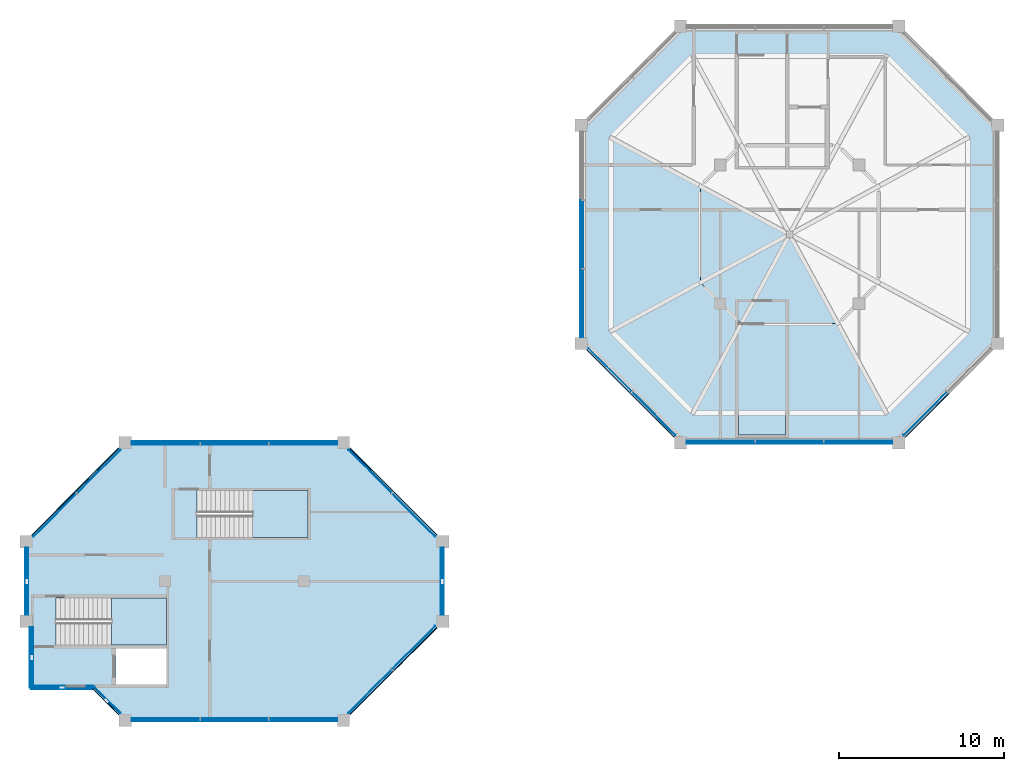
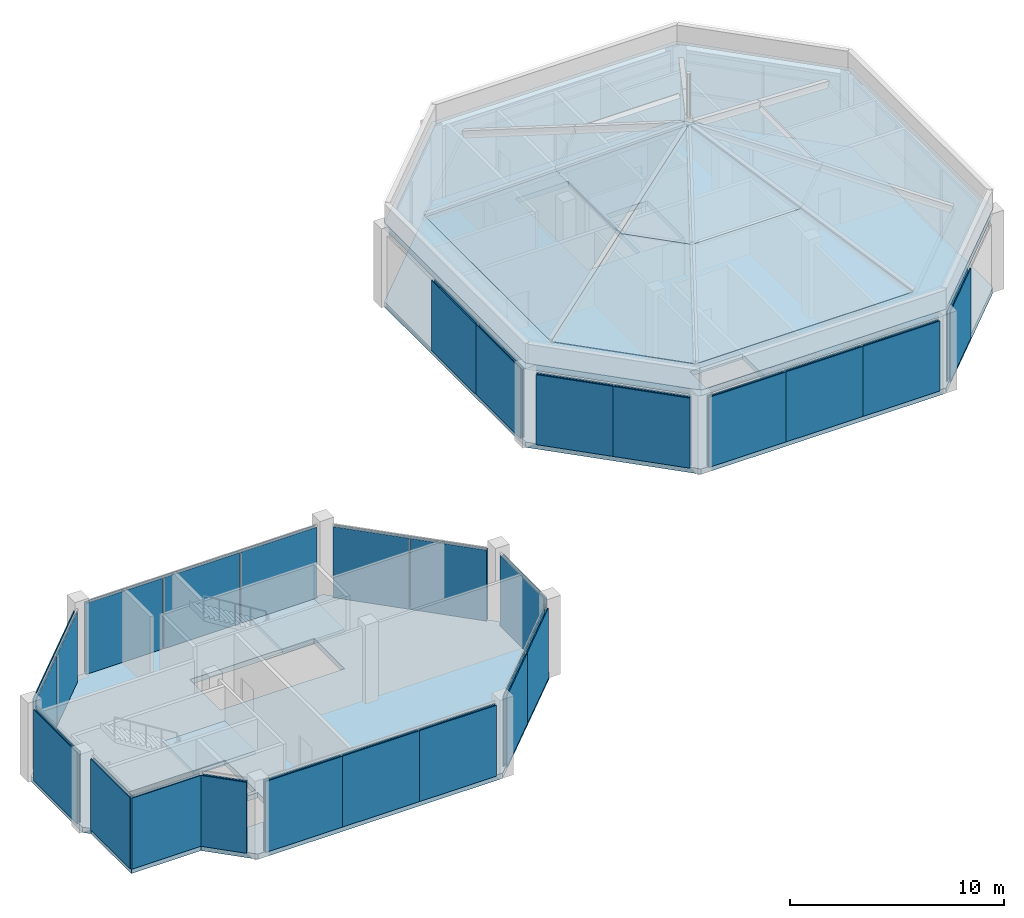
# One storey, part 4 of 9: 56 plates, 5 slabs, 16 elements without a shape of their own.
"""IFC4 building model written with IfcOpenShell, lengths in metres."""

from ifc_helpers import new_model, si_unit, direction, frame, origin, origin_2d, place, context, subcontext, project, spatial, polyline, rectangle, outline, extrude, material, layer, layer_set, type_object, element, aggregate, save


model = new_model("IFC4")

# Units and contexts
model_context = context("Model", 3, precision=1e-05, world=origin(), true_north=direction((0.0, 1.0)))
body_context = subcontext(model_context, "Body", "Model", "MODEL_VIEW")
ifc_project = project(units=[si_unit("LENGTHUNIT", "METRE"), si_unit("AREAUNIT", "SQUARE_METRE"), si_unit("VOLUMEUNIT", "CUBIC_METRE"), si_unit("PLANEANGLEUNIT", "RADIAN"), si_unit("MASSUNIT", "GRAM", prefix="KILO")], contexts=[model_context])

# Site, building, storey
site_placement = place(None, origin())
site = spatial("IfcSite", under=ifc_project, at=site_placement, CompositionType="ELEMENT")
building_placement = place(site_placement, origin())
building = spatial("IfcBuilding", under=site, at=building_placement, Name="Kawkab Arch Medical Tower", CompositionType="ELEMENT")
storey_placement = place(building_placement, frame((0.0, 0.0, 350.199951171875)))
storey = spatial("IfcBuildingStorey", under=building, at=storey_placement, Name="L81", CompositionType="ELEMENT", Elevation=350.199951171875)

# Curtain wall, plates
ifc_material_1 = material(Name="Bronze anodised aluminium curtain wall frame", Category="aluminium")
ifc_layer_1 = layer(ifc_material_1, 0.159912109375)
ifc_layer_set_1 = layer_set([ifc_layer_1], Name="Bronze anodised aluminium curtain wall frame")
curtain_wall_type = type_object("IfcCurtainWallType", Name="CW6 helipad lobby and crown glazing", PredefinedType="NOTDEFINED", material=ifc_layer_set_1)
placement_1 = place(storey_placement, origin())
curtain_wall_1 = element("IfcCurtainWall", 1, at=placement_1, inside=storey, type_object=curtain_wall_type, Name="CW6 Helipad lobby and crown glazing R04", PredefinedType="NOTDEFINED")
ifc_material_2 = material(Name="Tinted laminated insulating glass, low iron", Category="glass")
ifc_layer_2 = layer(ifc_material_2, 0.0400390625)
ifc_layer_set_2 = layer_set([ifc_layer_2], Name="Tinted laminated insulating glass, low iron")
plate_type_1 = type_object("IfcPlateType", Name="CW6 glazing unit 40", PredefinedType="CURTAIN_PANEL", material=ifc_layer_set_2)
plate_1_placement = place(storey_placement, frame((33.699951171875, -12.60009765625, 0.0), z_axis=(0.0, 0.0, 1.0), x_axis=(0.0, -1.0, 0.0)))
plate_1 = element("IfcPlate", 2, at=plate_1_placement, type_object=plate_type_1, Name="CW6 glazing unit 1.2", PredefinedType="CURTAIN_PANEL", context=body_context, shape_type="SweptSolid", body=[
    extrude(rectangle(XDim=4.080078125, YDim=0.0400390625, at=origin_2d()), origin(), (0.0, 0.0, 1.0), 3.989990234375),
])
plate_2_placement = place(storey_placement, frame((33.699951171875, -16.767578125, 0.0), z_axis=(0.0, 0.0, 1.0), x_axis=(0.0, -1.0, 0.0)))
plate_2 = element("IfcPlate", 3, at=plate_2_placement, type_object=plate_type_1, Name="CW6 glazing unit 1.3", PredefinedType="CURTAIN_PANEL", context=body_context, shape_type="SweptSolid", body=[
    extrude(rectangle(XDim=4.114990234375, YDim=0.0400390625, at=origin_2d()), origin(), (0.0, 0.0, 1.0), 3.989990234375),
])
aggregate(curtain_wall_1, [plate_1, plate_2])

curtain_wall_2 = element("IfcCurtainWall", 4, at=placement_1, inside=storey, type_object=curtain_wall_type, Name="CW6 Helipad lobby and crown glazing R05", PredefinedType="NOTDEFINED")
plate_3_placement = place(storey_placement, frame((35.345703125, -20.804443359375, 0.0), z_axis=(0.0, 0.0, 1.0), x_axis=(0.707106781187, -0.707106781187, 0.0)))
plate_3 = element("IfcPlate", 5, at=plate_3_placement, type_object=plate_type_1, Name="CW6 glazing unit 1.1", PredefinedType="CURTAIN_PANEL", context=body_context, shape_type="SweptSolid", body=[
    extrude(rectangle(XDim=3.67724609375, YDim=0.0400390625, at=origin_2d()), origin(), (0.0, 0.0, 1.0), 3.989990234375),
])
plate_4_placement = place(storey_placement, frame((37.99560546875, -23.4541015625, 0.0), z_axis=(0.0, 0.0, 1.0), x_axis=(0.707106781187, -0.707106781187, 0.0)))
plate_4 = element("IfcPlate", 6, at=plate_4_placement, type_object=plate_type_1, Name="CW6 glazing unit 1.2", PredefinedType="CURTAIN_PANEL", context=body_context, shape_type="SweptSolid", body=[
    extrude(rectangle(XDim=3.67724609375, YDim=0.0400390625, at=origin_2d()), origin(), (0.0, 0.0, 1.0), 3.989990234375),
])
aggregate(curtain_wall_2, [plate_3, plate_4])

curtain_wall_3 = element("IfcCurtainWall", 7, at=placement_1, inside=storey, type_object=curtain_wall_type, Name="CW6 Helipad lobby and crown glazing R06", PredefinedType="NOTDEFINED")
plate_5_placement = place(storey_placement, frame((42.032470703125, -25.10009765625, 0.0), z_axis=(0.0, 0.0, 1.0), x_axis=(1.0, 0.0, 0.0)))
plate_5 = element("IfcPlate", 8, at=plate_5_placement, type_object=plate_type_1, Name="CW6 glazing unit 1.1", PredefinedType="CURTAIN_PANEL", context=body_context, shape_type="SweptSolid", body=[
    extrude(rectangle(XDim=4.114990234375, YDim=0.0400390625, at=origin_2d()), origin(), (0.0, 0.0, 1.0), 3.989990234375),
])
plate_6_placement = place(storey_placement, frame((46.199951171875, -25.10009765625, 0.0), z_axis=(0.0, 0.0, 1.0), x_axis=(1.0, 0.0, 0.0)))
plate_6 = element("IfcPlate", 9, at=plate_6_placement, type_object=plate_type_1, Name="CW6 glazing unit 1.2", PredefinedType="CURTAIN_PANEL", context=body_context, shape_type="SweptSolid", body=[
    extrude(rectangle(XDim=4.080078125, YDim=0.0400390625, at=origin_2d()), origin(), (0.0, 0.0, 1.0), 3.989990234375),
])
plate_7_placement = place(storey_placement, frame((50.367431640625, -25.10009765625, 0.0), z_axis=(0.0, 0.0, 1.0), x_axis=(1.0, 0.0, 0.0)))
plate_7 = element("IfcPlate", 10, at=plate_7_placement, type_object=plate_type_1, Name="CW6 glazing unit 1.3", PredefinedType="CURTAIN_PANEL", context=body_context, shape_type="SweptSolid", body=[
    extrude(rectangle(XDim=4.114990234375, YDim=0.0400390625, at=origin_2d()), origin(), (0.0, 0.0, 1.0), 3.989990234375),
])
aggregate(curtain_wall_3, [plate_5, plate_6, plate_7])

# Curtain wall, plate
curtain_wall_4 = element("IfcCurtainWall", 11, at=placement_1, inside=storey, type_object=curtain_wall_type, Name="CW6 Helipad lobby and crown glazing R07", PredefinedType="NOTDEFINED")
plate_8_placement = place(storey_placement, frame((54.404296875, -23.4541015625, 0.0), z_axis=(0.0, 0.0, 1.0), x_axis=(0.707106781187, 0.707106781187, 0.0)))
plate_8 = element("IfcPlate", 12, at=plate_8_placement, type_object=plate_type_1, Name="CW6 glazing unit 1.1", PredefinedType="CURTAIN_PANEL", context=body_context, shape_type="SweptSolid", body=[
    extrude(rectangle(XDim=3.67724609375, YDim=0.0400390625, at=origin_2d()), origin(), (0.0, 0.0, 1.0), 3.989990234375),
])
aggregate(curtain_wall_4, [plate_8])

# Curtain wall, plates
curtain_wall_5 = element("IfcCurtainWall", 13, at=placement_1, inside=storey, type_object=curtain_wall_type, Name="CW6 Helipad lobby and crown glazing R09", PredefinedType="NOTDEFINED")
plate_9_placement = place(storey_placement, frame((23.4541015625, -29.595703125, 0.0), z_axis=(0.0, 0.0, 1.0), x_axis=(-0.707106781187, 0.707106781187, 0.0)))
plate_9 = element("IfcPlate", 14, at=plate_9_placement, type_object=plate_type_1, Name="CW6 glazing unit 1.1", PredefinedType="CURTAIN_PANEL", context=body_context, shape_type="SweptSolid", body=[
    extrude(rectangle(XDim=3.67724609375, YDim=0.0400390625, at=origin_2d()), origin(), (0.0, 0.0, 1.0), 4.0400390625),
])
plate_10_placement = place(storey_placement, frame((20.804443359375, -26.94580078125, 0.0), z_axis=(0.0, 0.0, 1.0), x_axis=(-0.707106781187, 0.707106781187, 0.0)))
plate_10 = element("IfcPlate", 15, at=plate_10_placement, type_object=plate_type_1, Name="CW6 glazing unit 1.2", PredefinedType="CURTAIN_PANEL", context=body_context, shape_type="SweptSolid", body=[
    extrude(rectangle(XDim=3.67724609375, YDim=0.0400390625, at=origin_2d()), origin(), (0.0, 0.0, 1.0), 4.0400390625),
])
aggregate(curtain_wall_5, [plate_9, plate_10])

curtain_wall_6 = element("IfcCurtainWall", 16, at=placement_1, inside=storey, type_object=curtain_wall_type, Name="CW6 Helipad lobby and crown glazing R10", PredefinedType="NOTDEFINED")
plate_11_placement = place(storey_placement, frame((16.767578125, -25.300048828125, 0.0), z_axis=(0.0, 0.0, 1.0), x_axis=(-1.0, 0.0, 0.0)))
plate_11 = element("IfcPlate", 17, at=plate_11_placement, type_object=plate_type_1, Name="CW6 glazing unit 1.1", PredefinedType="CURTAIN_PANEL", context=body_context, shape_type="SweptSolid", body=[
    extrude(rectangle(XDim=4.114990234375, YDim=0.0400390625, at=origin_2d()), origin(), (0.0, 0.0, 1.0), 4.0400390625),
])
plate_12_placement = place(storey_placement, frame((12.60009765625, -25.300048828125, 0.0), z_axis=(0.0, 0.0, 1.0), x_axis=(-1.0, 0.0, 0.0)))
plate_12 = element("IfcPlate", 18, at=plate_12_placement, type_object=plate_type_1, Name="CW6 glazing unit 1.2", PredefinedType="CURTAIN_PANEL", context=body_context, shape_type="SweptSolid", body=[
    extrude(rectangle(XDim=4.080078125, YDim=0.0400390625, at=origin_2d()), origin(), (0.0, 0.0, 1.0), 4.0400390625),
])
plate_13_placement = place(storey_placement, frame((8.4326171875, -25.300048828125, 0.0), z_axis=(0.0, 0.0, 1.0), x_axis=(-1.0, 0.0, 0.0)))
plate_13 = element("IfcPlate", 19, at=plate_13_placement, type_object=plate_type_1, Name="CW6 glazing unit 1.3", PredefinedType="CURTAIN_PANEL", context=body_context, shape_type="SweptSolid", body=[
    extrude(rectangle(XDim=4.114990234375, YDim=0.0400390625, at=origin_2d()), origin(), (0.0, 0.0, 1.0), 4.0400390625),
])
aggregate(curtain_wall_6, [plate_11, plate_12, plate_13])

curtain_wall_7 = element("IfcCurtainWall", 20, at=placement_1, inside=storey, type_object=curtain_wall_type, Name="CW6 Helipad lobby and crown glazing R11", PredefinedType="NOTDEFINED")
plate_14_placement = place(storey_placement, frame((4.3955078125, -26.94580078125, 0.0), z_axis=(0.0, 0.0, 1.0), x_axis=(-0.707106781187, -0.707106781187, 0.0)))
plate_14 = element("IfcPlate", 21, at=plate_14_placement, type_object=plate_type_1, Name="CW6 glazing unit 1.1", PredefinedType="CURTAIN_PANEL", context=body_context, shape_type="SweptSolid", body=[
    extrude(rectangle(XDim=3.67724609375, YDim=0.0400390625, at=origin_2d()), origin(), (0.0, 0.0, 1.0), 4.0400390625),
])
plate_15_placement = place(storey_placement, frame((1.745849609375, -29.595703125, 0.0), z_axis=(0.0, 0.0, 1.0), x_axis=(-0.707106781187, -0.707106781187, 0.0)))
plate_15 = element("IfcPlate", 22, at=plate_15_placement, type_object=plate_type_1, Name="CW6 glazing unit 1.2", PredefinedType="CURTAIN_PANEL", context=body_context, shape_type="SweptSolid", body=[
    extrude(rectangle(XDim=3.67724609375, YDim=0.0400390625, at=origin_2d()), origin(), (0.0, 0.0, 1.0), 4.0400390625),
])
aggregate(curtain_wall_7, [plate_14, plate_15])

# Curtain wall, plate
curtain_wall_8 = element("IfcCurtainWall", 23, at=placement_1, inside=storey, type_object=curtain_wall_type, Name="CW6 Helipad lobby and crown glazing R12", PredefinedType="NOTDEFINED")
plate_16_placement = place(storey_placement, frame((0.10009765625, -33.60009765625, 0.0), z_axis=(0.0, 0.0, 1.0), x_axis=(0.0, -1.0, 0.0)))
plate_16 = element("IfcPlate", 24, at=plate_16_placement, type_object=plate_type_1, Name="CW6 glazing unit 1.1", PredefinedType="CURTAIN_PANEL", context=body_context, shape_type="SweptSolid", body=[
    extrude(rectangle(XDim=4.050048828125, YDim=0.0400390625, at=origin_2d()), origin(), (0.0, 0.0, 1.0), 4.0400390625),
])
aggregate(curtain_wall_8, [plate_16])

curtain_wall_9 = element("IfcCurtainWall", 25, at=placement_1, inside=storey, type_object=curtain_wall_type, Name="CW6 Helipad lobby and crown glazing R14", PredefinedType="NOTDEFINED")
plate_17_placement = place(storey_placement, frame((0.39990234375, -38.21240234375, 0.0), z_axis=(0.0, 0.0, 1.0), x_axis=(0.0, -1.0, 0.0)))
plate_17 = element("IfcPlate", 26, at=plate_17_placement, type_object=plate_type_1, Name="CW6 glazing unit 1.1", PredefinedType="CURTAIN_PANEL", context=body_context, shape_type="SweptSolid", body=[
    extrude(rectangle(XDim=3.675048828125, YDim=0.0400390625, at=origin_2d()), origin(), (0.0, 0.0, 1.0), 4.0400390625),
])
aggregate(curtain_wall_9, [plate_17])

curtain_wall_10 = element("IfcCurtainWall", 27, at=placement_1, inside=storey, type_object=curtain_wall_type, Name="CW6 Helipad lobby and crown glazing R15", PredefinedType="NOTDEFINED")
plate_18_placement = place(storey_placement, frame((2.175048828125, -39.949951171875, 0.0), z_axis=(0.0, 0.0, 1.0), x_axis=(1.0, 0.0, 0.0)))
plate_18 = element("IfcPlate", 28, at=plate_18_placement, type_object=plate_type_1, Name="CW6 glazing unit 1.1", PredefinedType="CURTAIN_PANEL", context=body_context, shape_type="SweptSolid", body=[
    extrude(rectangle(XDim=3.75, YDim=0.0400390625, at=origin_2d()), origin(), (0.0, 0.0, 1.0), 4.0400390625),
])
aggregate(curtain_wall_10, [plate_18])

curtain_wall_11 = element("IfcCurtainWall", 29, at=placement_1, inside=storey, type_object=curtain_wall_type, Name="CW6 Helipad lobby and crown glazing R16", PredefinedType="NOTDEFINED")
plate_19_placement = place(storey_placement, frame((4.908203125, -40.766845703125, 0.0), z_axis=(0.0, 0.0, 1.0), x_axis=(0.707106781187, -0.707106781187, 0.0)))
plate_19 = element("IfcPlate", 30, at=plate_19_placement, type_object=plate_type_1, Name="CW6 glazing unit 1.1", PredefinedType="CURTAIN_PANEL", context=body_context, shape_type="SweptSolid", body=[
    extrude(rectangle(XDim=2.227294921875, YDim=0.0400390625, at=origin_2d()), origin(), (0.0, 0.0, 1.0), 4.0400390625),
])
aggregate(curtain_wall_11, [plate_19])

# Curtain wall, plates
curtain_wall_12 = element("IfcCurtainWall", 31, at=placement_1, inside=storey, type_object=curtain_wall_type, Name="CW6 Helipad lobby and crown glazing R17", PredefinedType="NOTDEFINED")
plate_20_placement = place(storey_placement, frame((8.4326171875, -41.89990234375, 0.0), z_axis=(0.0, 0.0, 1.0), x_axis=(1.0, 0.0, 0.0)))
plate_20 = element("IfcPlate", 32, at=plate_20_placement, type_object=plate_type_1, Name="CW6 glazing unit 1.1", PredefinedType="CURTAIN_PANEL", context=body_context, shape_type="SweptSolid", body=[
    extrude(rectangle(XDim=4.114990234375, YDim=0.0400390625, at=origin_2d()), origin(), (0.0, 0.0, 1.0), 4.0400390625),
])
plate_21_placement = place(storey_placement, frame((12.60009765625, -41.89990234375, 0.0), z_axis=(0.0, 0.0, 1.0), x_axis=(1.0, 0.0, 0.0)))
plate_21 = element("IfcPlate", 33, at=plate_21_placement, type_object=plate_type_1, Name="CW6 glazing unit 1.2", PredefinedType="CURTAIN_PANEL", context=body_context, shape_type="SweptSolid", body=[
    extrude(rectangle(XDim=4.080078125, YDim=0.0400390625, at=origin_2d()), origin(), (0.0, 0.0, 1.0), 4.0400390625),
])
plate_22_placement = place(storey_placement, frame((16.767578125, -41.89990234375, 0.0), z_axis=(0.0, 0.0, 1.0), x_axis=(1.0, 0.0, 0.0)))
plate_22 = element("IfcPlate", 34, at=plate_22_placement, type_object=plate_type_1, Name="CW6 glazing unit 1.3", PredefinedType="CURTAIN_PANEL", context=body_context, shape_type="SweptSolid", body=[
    extrude(rectangle(XDim=4.114990234375, YDim=0.0400390625, at=origin_2d()), origin(), (0.0, 0.0, 1.0), 4.0400390625),
])
aggregate(curtain_wall_12, [plate_20, plate_21, plate_22])

curtain_wall_13 = element("IfcCurtainWall", 35, at=placement_1, inside=storey, type_object=curtain_wall_type, Name="CW6 Helipad lobby and crown glazing R18", PredefinedType="NOTDEFINED")
plate_23_placement = place(storey_placement, frame((20.804443359375, -40.254150390625, 0.0), z_axis=(0.0, 0.0, 1.0), x_axis=(0.707106781187, 0.707106781187, 0.0)))
plate_23 = element("IfcPlate", 36, at=plate_23_placement, type_object=plate_type_1, Name="CW6 glazing unit 1.1", PredefinedType="CURTAIN_PANEL", context=body_context, shape_type="SweptSolid", body=[
    extrude(rectangle(XDim=3.67724609375, YDim=0.0400390625, at=origin_2d()), origin(), (0.0, 0.0, 1.0), 4.0400390625),
])
plate_24_placement = place(storey_placement, frame((23.4541015625, -37.6044921875, 0.0), z_axis=(0.0, 0.0, 1.0), x_axis=(0.707106781187, 0.707106781187, 0.0)))
plate_24 = element("IfcPlate", 37, at=plate_24_placement, type_object=plate_type_1, Name="CW6 glazing unit 1.2", PredefinedType="CURTAIN_PANEL", context=body_context, shape_type="SweptSolid", body=[
    extrude(rectangle(XDim=3.67724609375, YDim=0.0400390625, at=origin_2d()), origin(), (0.0, 0.0, 1.0), 4.0400390625),
])
aggregate(curtain_wall_13, [plate_23, plate_24])

# Curtain wall, plate
curtain_wall_14 = element("IfcCurtainWall", 38, at=placement_1, inside=storey, type_object=curtain_wall_type, Name="CW6 Helipad lobby and crown glazing R19", PredefinedType="NOTDEFINED")
plate_25_placement = place(storey_placement, frame((25.10009765625, -33.60009765625, 0.0), z_axis=(0.0, 0.0, 1.0), x_axis=(0.0, 1.0, 0.0)))
plate_25 = element("IfcPlate", 39, at=plate_25_placement, type_object=plate_type_1, Name="CW6 glazing unit 1.1", PredefinedType="CURTAIN_PANEL", context=body_context, shape_type="SweptSolid", body=[
    extrude(rectangle(XDim=4.050048828125, YDim=0.0400390625, at=origin_2d()), origin(), (0.0, 0.0, 1.0), 4.0400390625),
])
aggregate(curtain_wall_14, [plate_25])

# Plates
ifc_material_3 = material(Name="Laminated tinted glass", Category="glass")
ifc_layer_3 = layer(ifc_material_3, 0.031982421875)
ifc_layer_set_3 = layer_set([ifc_layer_3], Name="Laminated tinted glass")
plate_type_2 = type_object("IfcPlateType", Name="Crown glazing panel 32", PredefinedType="USERDEFINED", material=ifc_layer_set_3)
plate_26_placement = place(storey_placement, frame((40.345703125, -23.39990234375, 4.650146484375), z_axis=(0.0, -0.420129824888, 0.907464010437), x_axis=(1.0, 0.0, 0.0)))
element("IfcPlate", 40, at=plate_26_placement, inside=storey, type_object=plate_type_2, Name="Crown glazing, peak A face 1 row 1 bay 1", ObjectType="CROWN GLAZING", PredefinedType="USERDEFINED", context=body_context, shape_type="SweptSolid", body=[
    extrude(outline(polyline([(0.0, 0.0), (11.708740234375, 0.0), (8.781494140625, 5.950541599051026), (2.927001953125, 5.950541599051026), (0.0, 0.0)])), origin(), (0.0, 0.0, -1.0), 0.031982421875),
])
plate_27_placement = place(storey_placement, frame((35.39990234375, -6.74560546875, 4.650146484375), z_axis=(-0.420114183257, 0.0, 0.907471251901), x_axis=(0.0, -1.0, 0.0)))
element("IfcPlate", 41, at=plate_27_placement, inside=storey, type_object=plate_type_2, Name="Crown glazing, peak A face 7 row 1 bay 1", ObjectType="CROWN GLAZING", PredefinedType="USERDEFINED", context=body_context, shape_type="SweptSolid", body=[
    extrude(outline(polyline([(0.0, 0.0), (11.708740234375, 0.0), (8.781494140625, 5.950763148765684), (2.92724609375, 5.950763148765684), (0.0, 0.0)])), origin(), (0.0, 0.0, -1.0), 0.031982421875),
])
plate_28_placement = place(storey_placement, frame((35.39990234375, -18.454345703125, 4.650146484375), z_axis=(-0.276346189666, -0.276346189666, 0.920470296595), x_axis=(0.707121568298, -0.70709199371, 8.878966e-06)))
element("IfcPlate", 42, at=plate_28_placement, inside=storey, type_object=plate_type_2, Name="Crown glazing, peak A face 8 row 1 bay 1", ObjectType="CROWN GLAZING", PredefinedType="USERDEFINED", context=body_context, shape_type="SweptSolid", body=[
    extrude(outline(polyline([(0.0, 0.0), (6.994245909952788, 4.440892098500626e-16), (5.2457866047945965, 6.396809815000615), (1.7487499719791995, 6.397048169041188), (0.0, 0.0)])), origin(), (0.0, 0.0, -1.0), 0.031982421875),
])
plate_29_placement = place(storey_placement, frame((43.272705078125, -18.0, 7.150146484375), z_axis=(0.0, -0.420129824888, 0.907464010437), x_axis=(1.0, 0.0, 0.0)))
element("IfcPlate", 43, at=plate_29_placement, inside=storey, type_object=plate_type_2, Name="Crown glazing, peak A face 1 row 2 bay 1", ObjectType="CROWN GLAZING", PredefinedType="USERDEFINED", context=body_context, shape_type="SweptSolid", body=[
    extrude(outline(polyline([(0.0, 0.0), (5.8544921875, 0.0), (2.92724609375, 5.950541599051026), (0.0, 0.0)])), origin(), (0.0, 0.0, -1.0), 0.031982421875),
])
plate_30_placement = place(storey_placement, frame((40.800048828125, -9.6728515625, 7.150146484375), z_axis=(-0.420129824888, 0.0, 0.907464010437), x_axis=(0.0, -1.0, 0.0)))
element("IfcPlate", 44, at=plate_30_placement, inside=storey, type_object=plate_type_2, Name="Crown glazing, peak A face 7 row 2 bay 1", ObjectType="CROWN GLAZING", PredefinedType="USERDEFINED", context=body_context, shape_type="SweptSolid", body=[
    extrude(outline(polyline([(0.0, 0.0), (5.854248046875, 0.0), (2.92724609375, 5.950541599051025), (0.0, 0.0)])), origin(), (0.0, 0.0, -1.0), 0.031982421875),
])
plate_31_placement = place(storey_placement, frame((40.800048828125, -15.527099609375, 7.150146484375), z_axis=(-0.276363263975, -0.276335979617, 0.92046823557), x_axis=(0.707071873538, -0.707141687112, 0.0)))
element("IfcPlate", 45, at=plate_31_placement, inside=storey, type_object=plate_type_2, Name="Crown glazing, peak A face 8 row 2 bay 1", ObjectType="CROWN GLAZING", PredefinedType="USERDEFINED", context=body_context, shape_type="SweptSolid", body=[
    extrude(outline(polyline([(0.0, 0.0), (3.4970366415891814, 2.220446049250313e-16), (1.7483139678061104, 6.396849539078464), (0.0, 0.0)])), origin(), (0.0, 0.0, -1.0), 0.031982421875),
])
ifc_material_4 = material(Name="Bronze anodised aluminium perforated screen", Category="aluminium")
ifc_layer_4 = layer(ifc_material_4, 0.050048828125)
ifc_layer_set_4 = layer_set([ifc_layer_4], Name="Bronze anodised aluminium perforated screen")
plate_type_3 = type_object("IfcPlateType", Name="Crown perforated star screen 50", PredefinedType="USERDEFINED", material=ifc_layer_set_4)
for number, where, z_axis, x_axis, name in (
    (46, (33.554931640625, -12.60009765625, 0.0), (0.0, 0.0, 1.0), (0.0, -1.0, 0.0), "Crown screen L81 R04.1.2"),
    (47, (33.554931640625, -16.75, 0.0), (0.0, 0.0, 1.0), (0.0, -1.0, 0.0), "Crown screen L81 R04.1.3"),
):
    element("IfcPlate", number, at=place(storey_placement, frame(where, z_axis=z_axis, x_axis=x_axis)), inside=storey, type_object=plate_type_3, Name=name, ObjectType="SCREEN", PredefinedType="USERDEFINED", context=body_context, shape_type="SweptSolid", body=[
        extrude(rectangle(XDim=4.14990234375, YDim=0.050048828125, at=origin_2d()), origin(), (0.0, 0.0, 1.0), 3.989990234375),
    ])
for number, where, z_axis, x_axis, name in (
    (48, (35.255615234375, -20.919189453125, 0.0), (0.0, 0.0, 1.0), (0.707106781187, -0.707106781187, 0.0), "Crown screen L81 R05.1.1"),
    (49, (37.880615234375, -23.54443359375, 0.0), (0.0, 0.0, 1.0), (0.707106781187, -0.707106781187, 0.0), "Crown screen L81 R05.1.2"),
):
    element("IfcPlate", number, at=place(storey_placement, frame(where, z_axis=z_axis, x_axis=x_axis)), inside=storey, type_object=plate_type_3, Name=name, ObjectType="SCREEN", PredefinedType="USERDEFINED", context=body_context, shape_type="SweptSolid", body=[
        extrude(rectangle(XDim=3.71240234375, YDim=0.050048828125, at=origin_2d()), origin(), (0.0, 0.0, 1.0), 3.989990234375),
    ])
for number, where, z_axis, x_axis, name in (
    (50, (42.050048828125, -25.2451171875, 0.0), (0.0, 0.0, 1.0), (1.0, 0.0, 0.0), "Crown screen L81 R06.1.1"),
    (51, (46.199951171875, -25.2451171875, 0.0), (0.0, 0.0, 1.0), (1.0, 0.0, 0.0), "Crown screen L81 R06.1.2"),
    (52, (50.35009765625, -25.2451171875, 0.0), (0.0, 0.0, 1.0), (1.0, 0.0, 0.0), "Crown screen L81 R06.1.3"),
):
    element("IfcPlate", number, at=place(storey_placement, frame(where, z_axis=z_axis, x_axis=x_axis)), inside=storey, type_object=plate_type_3, Name=name, ObjectType="SCREEN", PredefinedType="USERDEFINED", context=body_context, shape_type="SweptSolid", body=[
        extrude(rectangle(XDim=4.14990234375, YDim=0.050048828125, at=origin_2d()), origin(), (0.0, 0.0, 1.0), 3.989990234375),
    ])
plate_32_placement = place(storey_placement, frame((54.519287109375, -23.544189453125, 0.0), z_axis=(0.0, 0.0, 1.0), x_axis=(0.707106781187, 0.707106781187, 0.0)))
element("IfcPlate", 53, at=plate_32_placement, inside=storey, type_object=plate_type_3, Name="Crown screen L81 R07.1.1", ObjectType="SCREEN", PredefinedType="USERDEFINED", context=body_context, shape_type="SweptSolid", body=[
    extrude(rectangle(XDim=3.71240234375, YDim=0.050048828125, at=origin_2d()), origin(), (0.0, 0.0, 1.0), 3.989990234375),
])
for number, where, z_axis, x_axis, name in (
    (54, (23.544189453125, -29.480712890625, 0.0), (0.0, 0.0, 1.0), (-0.707106781187, 0.707106781187, 0.0), "Crown screen L81 R09.1.1"),
    (55, (20.919189453125, -26.855712890625, 0.0), (0.0, 0.0, 1.0), (-0.707106781187, 0.707106781187, 0.0), "Crown screen L81 R09.1.2"),
):
    element("IfcPlate", number, at=place(storey_placement, frame(where, z_axis=z_axis, x_axis=x_axis)), inside=storey, type_object=plate_type_3, Name=name, ObjectType="SCREEN", PredefinedType="USERDEFINED", context=body_context, shape_type="SweptSolid", body=[
        extrude(rectangle(XDim=3.71240234375, YDim=0.050048828125, at=origin_2d()), origin(), (0.0, 0.0, 1.0), 4.0400390625),
    ])
for number, where, z_axis, x_axis, name in (
    (56, (16.75, -25.155029296875, 0.0), (0.0, 0.0, 1.0), (-1.0, 0.0, 0.0), "Crown screen L81 R10.1.1"),
    (57, (12.60009765625, -25.155029296875, 0.0), (0.0, 0.0, 1.0), (-1.0, 0.0, 0.0), "Crown screen L81 R10.1.2"),
    (58, (8.449951171875, -25.155029296875, 0.0), (0.0, 0.0, 1.0), (-1.0, 0.0, 0.0), "Crown screen L81 R10.1.3"),
):
    element("IfcPlate", number, at=place(storey_placement, frame(where, z_axis=z_axis, x_axis=x_axis)), inside=storey, type_object=plate_type_3, Name=name, ObjectType="SCREEN", PredefinedType="USERDEFINED", context=body_context, shape_type="SweptSolid", body=[
        extrude(rectangle(XDim=4.14990234375, YDim=0.050048828125, at=origin_2d()), origin(), (0.0, 0.0, 1.0), 4.0400390625),
    ])
for number, where, z_axis, x_axis, name in (
    (59, (4.28076171875, -26.855712890625, 0.0), (0.0, 0.0, 1.0), (-0.707106781187, -0.707106781187, 0.0), "Crown screen L81 R11.1.1"),
    (60, (1.655517578125, -29.480712890625, 0.0), (0.0, 0.0, 1.0), (-0.707106781187, -0.707106781187, 0.0), "Crown screen L81 R11.1.2"),
):
    element("IfcPlate", number, at=place(storey_placement, frame(where, z_axis=z_axis, x_axis=x_axis)), inside=storey, type_object=plate_type_3, Name=name, ObjectType="SCREEN", PredefinedType="USERDEFINED", context=body_context, shape_type="SweptSolid", body=[
        extrude(rectangle(XDim=3.71240234375, YDim=0.050048828125, at=origin_2d()), origin(), (0.0, 0.0, 1.0), 4.0400390625),
    ])
plate_33_placement = place(storey_placement, frame((-0.044921875, -33.60009765625, 0.0), z_axis=(0.0, 0.0, 1.0), x_axis=(0.0, -1.0, 0.0)))
element("IfcPlate", 61, at=plate_33_placement, inside=storey, type_object=plate_type_3, Name="Crown screen L81 R12.1.1", ObjectType="SCREEN", PredefinedType="USERDEFINED", context=body_context, shape_type="SweptSolid", body=[
    extrude(rectangle(XDim=4.050048828125, YDim=0.050048828125, at=origin_2d()), origin(), (0.0, 0.0, 1.0), 4.0400390625),
])
plate_34_placement = place(storey_placement, frame((0.2548828125, -38.21240234375, 0.0), z_axis=(0.0, 0.0, 1.0), x_axis=(0.0, -1.0, 0.0)))
element("IfcPlate", 62, at=plate_34_placement, inside=storey, type_object=plate_type_3, Name="Crown screen L81 R14.1.1", ObjectType="SCREEN", PredefinedType="USERDEFINED", context=body_context, shape_type="SweptSolid", body=[
    extrude(rectangle(XDim=3.675048828125, YDim=0.050048828125, at=origin_2d()), origin(), (0.0, 0.0, 1.0), 4.0400390625),
])
plate_35_placement = place(storey_placement, frame((2.175048828125, -40.094970703125, 0.0), z_axis=(0.0, 0.0, 1.0), x_axis=(1.0, 0.0, 0.0)))
element("IfcPlate", 63, at=plate_35_placement, inside=storey, type_object=plate_type_3, Name="Crown screen L81 R15.1.1", ObjectType="SCREEN", PredefinedType="USERDEFINED", context=body_context, shape_type="SweptSolid", body=[
    extrude(rectangle(XDim=3.75, YDim=0.050048828125, at=origin_2d()), origin(), (0.0, 0.0, 1.0), 4.0400390625),
])
plate_36_placement = place(storey_placement, frame((4.8056640625, -40.869384765625, 0.0), z_axis=(0.0, 0.0, 1.0), x_axis=(0.707106781187, -0.707106781187, 0.0)))
element("IfcPlate", 64, at=plate_36_placement, inside=storey, type_object=plate_type_3, Name="Crown screen L81 R16.1.1", ObjectType="SCREEN", PredefinedType="USERDEFINED", context=body_context, shape_type="SweptSolid", body=[
    extrude(rectangle(XDim=2.227294921875, YDim=0.050048828125, at=origin_2d()), origin(), (0.0, 0.0, 1.0), 4.0400390625),
])
for number, where, z_axis, x_axis, name in (
    (65, (8.449951171875, -42.044921875, 0.0), (0.0, 0.0, 1.0), (1.0, 0.0, 0.0), "Crown screen L81 R17.1.1"),
    (66, (12.60009765625, -42.044921875, 0.0), (0.0, 0.0, 1.0), (1.0, 0.0, 0.0), "Crown screen L81 R17.1.2"),
    (67, (16.75, -42.044921875, 0.0), (0.0, 0.0, 1.0), (1.0, 0.0, 0.0), "Crown screen L81 R17.1.3"),
):
    element("IfcPlate", number, at=place(storey_placement, frame(where, z_axis=z_axis, x_axis=x_axis)), inside=storey, type_object=plate_type_3, Name=name, ObjectType="SCREEN", PredefinedType="USERDEFINED", context=body_context, shape_type="SweptSolid", body=[
        extrude(rectangle(XDim=4.14990234375, YDim=0.050048828125, at=origin_2d()), origin(), (0.0, 0.0, 1.0), 4.0400390625),
    ])
for number, where, z_axis, x_axis, name in (
    (68, (20.919189453125, -40.34423828125, 0.0), (0.0, 0.0, 1.0), (0.707106781187, 0.707106781187, 0.0), "Crown screen L81 R18.1.1"),
    (69, (23.54443359375, -37.71923828125, 0.0), (0.0, 0.0, 1.0), (0.707106781187, 0.707106781187, 0.0), "Crown screen L81 R18.1.2"),
):
    element("IfcPlate", number, at=place(storey_placement, frame(where, z_axis=z_axis, x_axis=x_axis)), inside=storey, type_object=plate_type_3, Name=name, ObjectType="SCREEN", PredefinedType="USERDEFINED", context=body_context, shape_type="SweptSolid", body=[
        extrude(rectangle(XDim=3.71240234375, YDim=0.050048828125, at=origin_2d()), origin(), (0.0, 0.0, 1.0), 4.0400390625),
    ])
plate_37_placement = place(storey_placement, frame((25.2451171875, -33.60009765625, 0.0), z_axis=(0.0, 0.0, 1.0), x_axis=(0.0, 1.0, 0.0)))
element("IfcPlate", 70, at=plate_37_placement, inside=storey, type_object=plate_type_3, Name="Crown screen L81 R19.1.1", ObjectType="SCREEN", PredefinedType="USERDEFINED", context=body_context, shape_type="SweptSolid", body=[
    extrude(rectangle(XDim=4.050048828125, YDim=0.050048828125, at=origin_2d()), origin(), (0.0, 0.0, 1.0), 4.0400390625),
])

# Stair, slab
ifc_material_5 = material(Name="Concrete C40/50", Category="concrete")
stair_type = type_object("IfcStairType", Name="Exit stair 1350", PredefinedType="HALF_TURN_STAIR", material=ifc_material_5)
stair_1 = element("IfcStair", 71, at=placement_1, inside=storey, type_object=stair_type, Name="L81 Exit stair ST6", PredefinedType="HALF_TURN_STAIR")
ifc_material_6 = material(Name="Concrete C40/50", Category="concrete")
ifc_layer_5 = layer(ifc_material_6, 0.199951171875)
ifc_layer_set_5 = layer_set([ifc_layer_5], Name="Concrete C40/50")
slab_type_1 = type_object("IfcSlabType", Name="Exit stair landing 200", PredefinedType="LANDING", material=ifc_layer_set_5)
placement_2 = place(storey_placement, frame((0.0, 0.0, 2.050048828125)))
slab_1 = element("IfcSlab", 72, at=placement_2, type_object=slab_type_1, Name="ST6 landing 1", PredefinedType="LANDING", context=body_context, shape_type="SweptSolid", body=[
    extrude(outline(polyline([(5.159912109375, -37.449951171875), (8.5, -37.449951171875), (8.5, -34.60009765625), (5.159912109375, -34.60009765625), (5.159912109375, -37.449951171875)])), origin(), (0.0, 0.0, 1.0), 0.199951171875),
])
aggregate(stair_1, [slab_1])

stair_2 = element("IfcStair", 73, at=placement_1, inside=storey, type_object=stair_type, Name="L81 Exit stair ST9", PredefinedType="HALF_TURN_STAIR")
slab_2 = element("IfcSlab", 74, at=placement_2, type_object=slab_type_1, Name="ST9 landing 1", PredefinedType="LANDING", context=body_context, shape_type="SweptSolid", body=[
    extrude(outline(polyline([(13.7099609375, -30.949951171875), (17.050048828125, -30.949951171875), (17.050048828125, -28.10009765625), (13.7099609375, -28.10009765625), (13.7099609375, -30.949951171875)])), origin(), (0.0, 0.0, 1.0), 0.199951171875),
])
aggregate(stair_2, [slab_2])

# Slabs
ifc_material_7 = material(Name="Concrete C40/50", Category="concrete")
ifc_layer_6 = layer(ifc_material_7, 0.300048828125)
ifc_layer_set_6 = layer_set([ifc_layer_6], Name="Concrete C40/50")
slab_type_2 = type_object("IfcSlabType", Name="Flat plate 300 C40/50", PredefinedType="FLOOR", material=ifc_layer_set_6)
placement_3 = place(storey_placement, frame((0.0, 0.0, -0.300048828125)))
element("IfcSlab", 75, at=placement_3, inside=storey, type_object=slab_type_2, Name="Floor slab L81", PredefinedType="FLOOR", context=body_context, shape_type="SweptSolid", body=[
    extrude(outline(polyline([(58.800048828125, -19.199951171875), (52.800048828125, -25.199951171875), (39.60009765625, -25.199951171875), (33.60009765625, -19.199951171875), (33.60009765625, -6.0), (39.60009765625, 0.0), (52.800048828125, 0.0), (58.800048828125, -6.0), (58.800048828125, -19.199951171875)]), holes=[polyline([(45.949951171875, -18.050048828125), (43.10009765625, -18.050048828125), (43.10009765625, -24.75), (45.949951171875, -24.75), (45.949951171875, -18.050048828125)]), polyline([(48.35009765625, -8.5), (48.35009765625, -5.02490234375), (46.14990234375, -5.02490234375), (46.14990234375, -8.5), (48.35009765625, -8.5)]), polyline([(45.949951171875, -8.5), (45.949951171875, -1.800048828125), (43.10009765625, -1.800048828125), (43.10009765625, -8.5), (45.949951171875, -8.5)])]), origin(), (0.0, 0.0, 1.0), 0.300048828125),
])
element("IfcSlab", 76, at=placement_3, inside=storey, type_object=slab_type_2, Name="Floor slab L81 part 2", PredefinedType="FLOOR", context=body_context, shape_type="SweptSolid", body=[
    extrude(outline(polyline([(25.199951171875, -36.0), (19.199951171875, -42.0), (6.0, -42.0), (4.050048828125, -40.050048828125), (0.300048828125, -40.050048828125), (0.300048828125, -36.300048828125), (0.0, -36.0), (0.0, -31.199951171875), (6.0, -25.199951171875), (19.199951171875, -25.199951171875), (25.199951171875, -31.199951171875), (25.199951171875, -36.0)]), holes=[polyline([(8.5, -39.85009765625), (8.5, -37.64990234375), (5.425048828125, -37.64990234375), (5.425048828125, -39.85009765625), (8.5, -39.85009765625)]), polyline([(8.5, -34.60009765625), (1.800048828125, -34.60009765625), (1.800048828125, -37.449951171875), (8.5, -37.449951171875), (8.5, -34.60009765625)]), polyline([(17.050048828125, -28.10009765625), (10.35009765625, -28.10009765625), (10.35009765625, -30.949951171875), (17.050048828125, -30.949951171875), (17.050048828125, -28.10009765625)])]), origin(), (0.0, 0.0, 1.0), 0.300048828125),
])
ifc_material_8 = material(Name="Concrete C40/50", Category="concrete")
ifc_layer_7 = layer(ifc_material_8, 0.35009765625)
ifc_layer_set_7 = layer_set([ifc_layer_7], Name="Concrete C40/50")
slab_type_3 = type_object("IfcSlabType", Name="Roof slab 350 C40/50", PredefinedType="ROOF", material=ifc_layer_set_7)
slab_5_placement = place(storey_placement, frame((0.0, 0.0, 4.150146484375)))
element("IfcSlab", 77, at=slab_5_placement, inside=storey, type_object=slab_type_3, Name="Crown roof slab A", PredefinedType="ROOF", context=body_context, shape_type="SweptSolid", body=[
    extrude(outline(polyline([(33.60009765625, -19.199951171875), (39.60009765625, -25.199951171875), (52.800048828125, -25.199951171875), (58.800048828125, -19.199951171875), (58.800048828125, -6.0), (52.800048828125, 0.0), (39.60009765625, 0.0), (33.60009765625, -6.0), (33.60009765625, -19.199951171875)])), origin(), (0.0, 0.0, 1.0), 0.349853515625),
])

save(model, "model.ifc")
